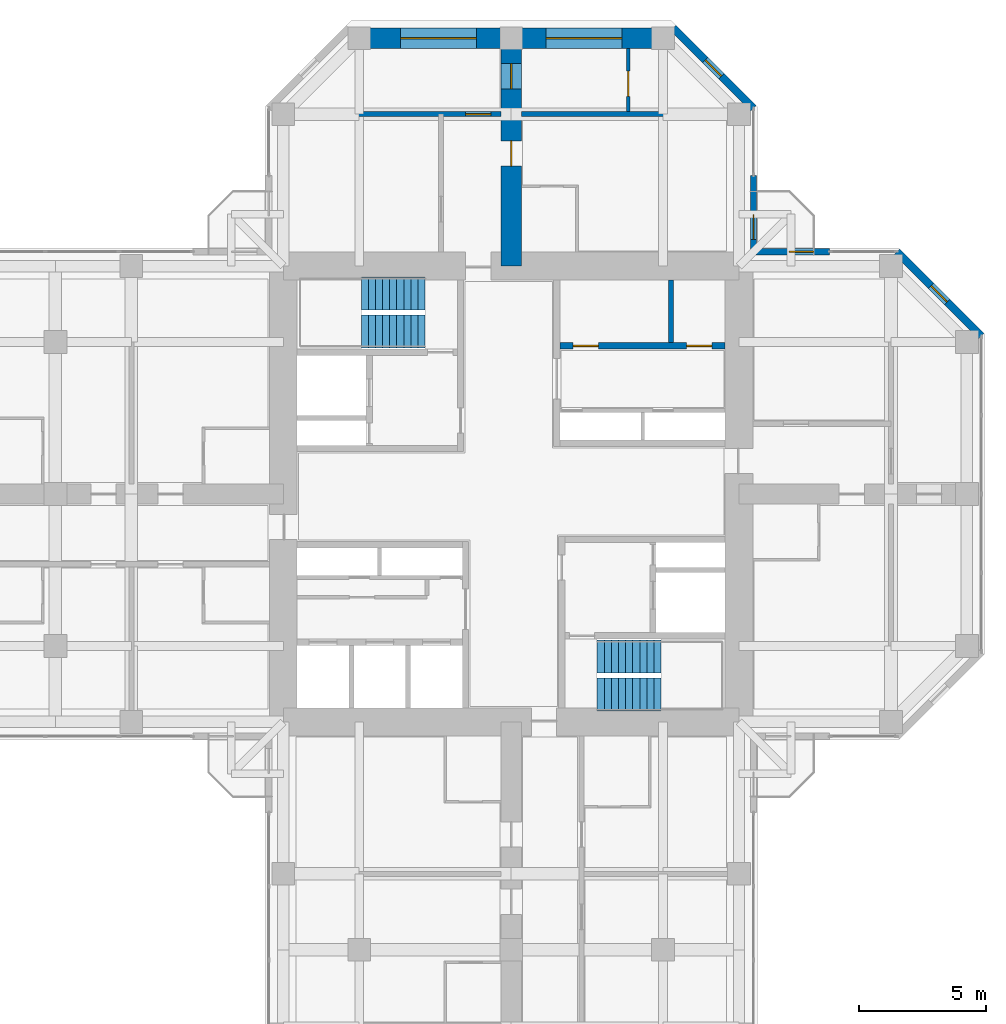
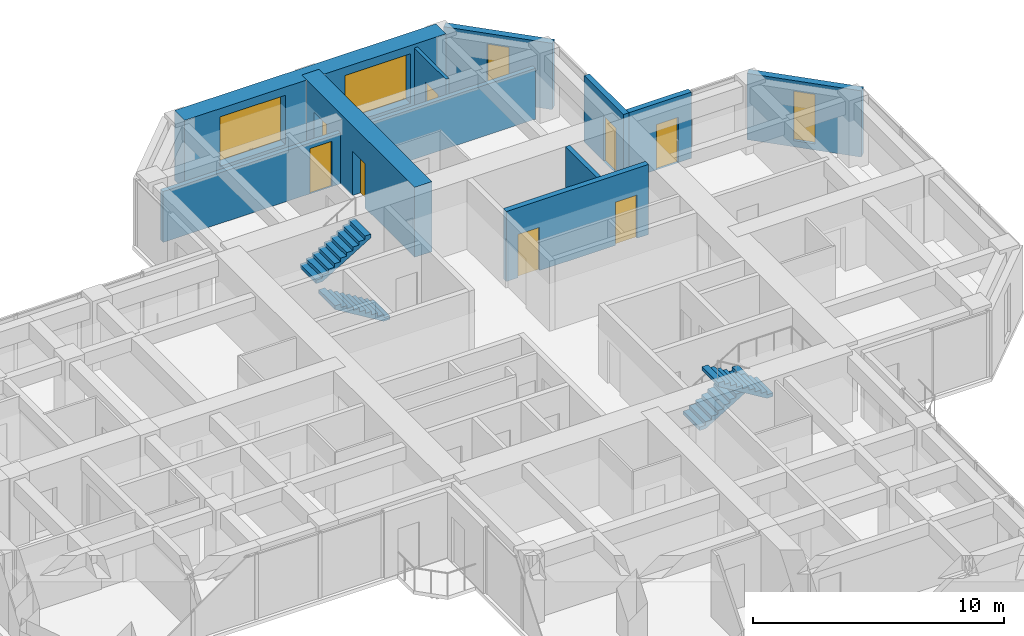
# One storey, part 12 of 13: 11 walls, 8 doors, 4 stair flights, 4 windows, 12 openings, 2 elements without a shape of their own.
"""IFC4 building model written with IfcOpenShell, lengths in metres."""

from ifc_helpers import new_model, si_unit, direction, frame, frame_2d, origin, place, context, subcontext, project, spatial, polyline, rectangle, hollow_rectangle, outline, extrude, material, layer, layer_set, constituent, constituent_set, type_object, element, fill, aggregate, save


model = new_model("IFC4")

# Units and contexts
model_context = context("Model", 3, precision=1e-05, world=origin(), true_north=direction((0.0, 1.0)))
body_context = subcontext(model_context, "Body", "Model", "MODEL_VIEW")
ifc_project = project(units=[si_unit("LENGTHUNIT", "METRE"), si_unit("AREAUNIT", "SQUARE_METRE"), si_unit("VOLUMEUNIT", "CUBIC_METRE"), si_unit("PLANEANGLEUNIT", "RADIAN"), si_unit("MASSUNIT", "GRAM", prefix="KILO")], contexts=[model_context])

# Site, building, storey
site_placement = place(None, origin())
site = spatial("IfcSite", under=ifc_project, at=site_placement, CompositionType="ELEMENT")
building_placement = place(site_placement, origin())
building = spatial("IfcBuilding", under=site, at=building_placement, Name="Torre Cruceta", CompositionType="ELEMENT")
storey_placement = place(building_placement, frame((0.0, 0.0, 193.300048828125)))
storey = spatial("IfcBuildingStorey", under=building, at=storey_placement, Name="L48", CompositionType="ELEMENT", Elevation=193.300048828125)

# Wall, openings, doors
ifc_material_1 = material(Name="Concrete G60 (fck 60 MPa)", Category="concrete")
ifc_layer_1 = layer(ifc_material_1, 0.25)
ifc_layer_set_1 = layer_set([ifc_layer_1], Name="Concrete G60 (fck 60 MPa)")
wall_type_1 = type_object("IfcWallType", Name="CORE INNER WALL 250 G60", PredefinedType="SHEAR", material=ifc_layer_set_1)
wall_1_placement = place(storey_placement, frame((1.925048828125, 5.85009765625, 0.0), z_axis=(0.0, 0.0, 1.0), x_axis=(1.0, 0.0, 0.0)))
wall_1 = element("IfcWall", 1, at=wall_1_placement, inside=storey, type_object=wall_type_1, Name="CW4 L48 NE-LV", PredefinedType="SHEAR", context=body_context, shape_type="SweptSolid", body=[
    extrude(rectangle(XDim=6.52490234375, YDim=0.25, at=frame_2d((3.262451171875, 0.0))), origin(), (0.0, 0.0, 1.0), 3.39990234375),
])
opening_1_placement = place(wall_1_placement, frame((0.520751953125, 0.0, 0.0)))
opening_1 = element("IfcOpeningElement", 2, at=opening_1_placement, cuts=wall_1, Name="Opening D3", PredefinedType="OPENING", context=body_context, shape_type="SweptSolid", body=[
    extrude(rectangle(XDim=1.0, YDim=2.10009765625, at=frame_2d((0.5, 1.050048828125))), frame((0.0, 0.135009765625, 0.0), z_axis=(0.0, -1.0, 0.0), x_axis=(1.0, 0.0, 0.0)), (0.0, 0.0, 1.0), 0.27001953125),
])
opening_2_placement = place(wall_1_placement, frame((5.004150390625, 0.0, 0.0)))
opening_2 = element("IfcOpeningElement", 3, at=opening_2_placement, cuts=wall_1, Name="Opening D3", PredefinedType="OPENING", context=body_context, shape_type="SweptSolid", body=[
    extrude(rectangle(XDim=1.0, YDim=2.10009765625, at=frame_2d((0.5, 1.050048828125))), frame((0.0, 0.135009765625, 0.0), z_axis=(0.0, -1.0, 0.0), x_axis=(1.0, 0.0, 0.0)), (0.0, 0.0, 1.0), 0.27001953125),
])
ifc_material_2 = material(Name="Steel DX51D", Category="steel")
ifc_constituent_1 = constituent(ifc_material_2, Name="Leaf and frame")
ifc_material_3 = material(Name="Polyester powder coating", Category="paint")
ifc_constituent_2 = constituent(ifc_material_3, Name="Finish")
ifc_constituent_set_1 = constituent_set(constituents=[ifc_constituent_1, ifc_constituent_2], Name="Steel fire door")
door_type_1 = type_object("IfcDoorType", Name="FIRE DOOR 1000X2100", OperationType="SINGLE_SWING_LEFT", PredefinedType="DOOR", material=ifc_constituent_set_1)
door_1_placement = place(opening_1_placement, origin())
door_1 = element("IfcDoor", 4, at=door_1_placement, inside=storey, type_object=door_type_1, Name="D3 L48 NE-HR1", OperationType="SINGLE_SWING_LEFT", OverallHeight=2.10009765625, OverallWidth=1.0, PredefinedType="DOOR", context=body_context, shape_type="SweptSolid", body=[
    extrude(rectangle(XDim=1.0, YDim=2.10009765625, at=frame_2d((0.5, 1.050048828125))), frame((0.0, 0.02490234375, 0.0), z_axis=(0.0, -1.0, 0.0), x_axis=(1.0, 0.0, 0.0)), (0.0, 0.0, 1.0), 0.050048828125),
])
fill(opening_1, door_1)
door_2_placement = place(opening_2_placement, origin())
door_2 = element("IfcDoor", 5, at=door_2_placement, inside=storey, type_object=door_type_1, Name="D3 L48 NE-HR2", OperationType="SINGLE_SWING_RIGHT", OverallHeight=2.10009765625, OverallWidth=1.0, PredefinedType="DOOR", context=body_context, shape_type="SweptSolid", body=[
    extrude(rectangle(XDim=1.0, YDim=2.10009765625, at=frame_2d((0.5, 1.050048828125))), frame((0.0, 0.02490234375, 0.0), z_axis=(0.0, -1.0, 0.0), x_axis=(1.0, 0.0, 0.0)), (0.0, 0.0, 1.0), 0.050048828125),
])
fill(opening_2, door_2)

# Wall, opening, window
ifc_material_4 = material(Name="Concrete G30 (fck 30 MPa)", Category="concrete")
ifc_layer_2 = layer(ifc_material_4, 0.300048828125)
ifc_layer_set_2 = layer_set([ifc_layer_2], Name="Concrete G30 (fck 30 MPa)")
wall_type_2 = type_object("IfcWallType", Name="EXPOSED CONCRETE FACADE WALL 300", PredefinedType="SOLIDWALL", material=ifc_layer_set_2)
wall_2_placement = place(storey_placement, frame((18.570068359375, 6.236083984375, 0.0), z_axis=(0.0, 0.0, 1.0), x_axis=(-0.707106781187, 0.707106781187, 0.0)))
wall_2 = element("IfcWall", 6, at=wall_2_placement, inside=storey, type_object=wall_type_2, Name="EW1 facade wall L48 E chamfer 03", PredefinedType="SOLIDWALL", context=body_context, shape_type="SweptSolid", body=[
    extrude(rectangle(XDim=4.715087890625, YDim=0.300048828125, at=frame_2d((2.357421875, 0.0))), origin(), (0.0, 0.0, 1.0), 3.219970703125),
])
opening_3_placement = place(wall_2_placement, frame((1.907470703125, 0.0, 0.300048828125)))
opening_3 = element("IfcOpeningElement", 7, at=opening_3_placement, cuts=wall_2, Name="Opening WN5", PredefinedType="OPENING", context=body_context, shape_type="SweptSolid", body=[
    extrude(rectangle(XDim=0.89990234375, YDim=2.39990234375, at=frame_2d((0.449951171875, 1.199951171875))), frame((0.0, 0.159912109375, 0.0), z_axis=(0.0, -1.0, 0.0), x_axis=(1.0, 0.0, 0.0)), (0.0, 0.0, 1.0), 0.320068359375),
])
ifc_material_5 = material(Name="Aluminium window frame", Category="aluminium")
ifc_constituent_3 = constituent(ifc_material_5, Name="Frame")
ifc_material_6 = material(Name="Laminated insulating glass unit, low-iron clear", Category="glass")
ifc_constituent_4 = constituent(ifc_material_6, Name="Glazing")
ifc_constituent_set_2 = constituent_set(constituents=[ifc_constituent_3, ifc_constituent_4], Name="Aluminium window")
window_type_1 = type_object("IfcWindowType", Name="CHAMFER SLOT WINDOW 900X2400", PartitioningType="SINGLE_PANEL", PredefinedType="WINDOW", material=ifc_constituent_set_2)
window_1_placement = place(opening_3_placement, origin())
window_1 = element("IfcWindow", 8, at=window_1_placement, inside=storey, type_object=window_type_1, Name="WN5 L48 E 1", OverallHeight=2.39990234375, OverallWidth=0.89990234375, PartitioningType="SINGLE_PANEL", PredefinedType="WINDOW", context=body_context, shape_type="SweptSolid", body=[
    extrude(hollow_rectangle(XDim=0.89990234375, YDim=2.39990234375, WallThickness=0.06005859375, at=frame_2d((0.449951171875, 1.199951171875))), frame((0.0, 0.030029296875, 0.0), z_axis=(0.0, -1.0, 0.0), x_axis=(1.0, 0.0, 0.0)), (0.0, 0.0, 1.0), 0.06005859375),
    extrude(rectangle(XDim=0.77880859375, YDim=2.27880859375, at=frame_2d((0.449951171875, 1.199951171875))), frame((0.0, 0.030029296875, 0.0), z_axis=(0.0, -1.0, 0.0), x_axis=(1.0, 0.0, 0.0)), (0.0, 0.0, 1.0), 0.06005859375),
])
fill(opening_3, window_1)

wall_3_placement = place(storey_placement, frame((9.570068359375, 15.236083984375, 0.0), z_axis=(0.0, 0.0, 1.0), x_axis=(-0.707134062067, 0.707079499254, 0.0)))
wall_3 = element("IfcWall", 9, at=wall_3_placement, inside=storey, type_object=wall_type_2, Name="EW1 facade wall L48 N chamfer 06", PredefinedType="SOLIDWALL", context=body_context, shape_type="SweptSolid", body=[
    extrude(rectangle(XDim=4.474609375, YDim=0.300048828125, at=frame_2d((2.2373046875, 0.0))), origin(), (0.0, 0.0, 1.0), 3.219970703125),
])
opening_4_placement = place(wall_3_placement, frame((1.787109375, 0.0, 0.300048828125)))
opening_4 = element("IfcOpeningElement", 10, at=opening_4_placement, cuts=wall_3, Name="Opening WN5", PredefinedType="OPENING", context=body_context, shape_type="SweptSolid", body=[
    extrude(rectangle(XDim=0.89990234375, YDim=2.39990234375, at=frame_2d((0.449951171875, 1.199951171875))), frame((0.0, 0.159912109375, 0.0), z_axis=(0.0, -1.0, 0.0), x_axis=(1.0, 0.0, 0.0)), (0.0, 0.0, 1.0), 0.320068359375),
])
window_2_placement = place(opening_4_placement, origin())
window_2 = element("IfcWindow", 11, at=window_2_placement, inside=storey, type_object=window_type_1, Name="WN5 L48 N 1", OverallHeight=2.39990234375, OverallWidth=0.89990234375, PartitioningType="SINGLE_PANEL", PredefinedType="WINDOW", context=body_context, shape_type="SweptSolid", body=[
    extrude(hollow_rectangle(XDim=0.89990234375, YDim=2.39990234375, WallThickness=0.06005859375, at=frame_2d((0.449951171875, 1.199951171875))), frame((0.0, 0.030029296875, 0.0), z_axis=(0.0, -1.0, 0.0), x_axis=(1.0, 0.0, 0.0)), (0.0, 0.0, 1.0), 0.06005859375),
    extrude(rectangle(XDim=0.77880859375, YDim=2.27880859375, at=frame_2d((0.449951171875, 1.199951171875))), frame((0.0, 0.030029296875, 0.0), z_axis=(0.0, -1.0, 0.0), x_axis=(1.0, 0.0, 0.0)), (0.0, 0.0, 1.0), 0.06005859375),
])
fill(opening_4, window_2)

# Wall
ifc_material_7 = material(Name="Concrete G35 (fck 35 MPa)", Category="concrete")
ifc_layer_3 = layer(ifc_material_7, 0.199951171875)
ifc_layer_set_3 = layer_set([ifc_layer_3], Name="Concrete G35 (fck 35 MPa)")
wall_type_3 = type_object("IfcWallType", Name="LIFT SHAFT WALL 200", PredefinedType="PARTITIONING", material=ifc_layer_set_3)
wall_4_placement = place(storey_placement, frame((6.308349609375, 5.97509765625, 0.0), z_axis=(0.0, 0.0, 1.0), x_axis=(0.0, 1.0, 0.0)))
element("IfcWall", 12, at=wall_4_placement, inside=storey, type_object=wall_type_3, Name="SW1 L48 NE-LS2", PredefinedType="PARTITIONING", context=body_context, shape_type="SweptSolid", body=[
    extrude(rectangle(XDim=2.474853515625, YDim=0.199951171875, at=frame_2d((1.2373046875, 0.0))), origin(), (0.0, 0.0, 1.0), 3.39990234375),
])

# Wall, openings, windows
ifc_material_8 = material(Name="Concrete G60 (fck 60 MPa)", Category="concrete")
ifc_layer_4 = layer(ifc_material_8, 0.800048828125)
ifc_layer_set_4 = layer_set([ifc_layer_4], Name="Concrete G60 (fck 60 MPa)")
wall_type_4 = type_object("IfcWallType", Name="NOSE WALL 800 G60", PredefinedType="SHEAR", material=ifc_layer_set_4)
wall_5_placement = place(storey_placement, frame((6.0, 18.0, 0.0), z_axis=(0.0, 0.0, 1.0), x_axis=(-1.0, 0.0, 0.0)))
wall_5 = element("IfcWall", 13, at=wall_5_placement, inside=storey, type_object=wall_type_4, Name="NW2 nose wall L48 N", PredefinedType="SHEAR", context=body_context, shape_type="SweptSolid", body=[
    extrude(rectangle(XDim=12.0, YDim=0.800048828125, at=frame_2d((6.0, 0.0))), origin(), (0.0, 0.0, 1.0), 3.39990234375),
])
opening_5_placement = place(wall_5_placement, frame((1.625, 0.0, 0.60009765625)))
opening_5 = element("IfcOpeningElement", 14, at=opening_5_placement, cuts=wall_5, Name="Opening WN6", PredefinedType="OPENING", context=body_context, shape_type="SweptSolid", body=[
    extrude(rectangle(XDim=3.0, YDim=2.39990234375, at=frame_2d((1.5, 1.199951171875))), frame((0.0, 0.409912109375, 0.0), z_axis=(0.0, -1.0, 0.0), x_axis=(1.0, 0.0, 0.0)), (0.0, 0.0, 1.0), 0.820068359375),
])
opening_6_placement = place(wall_5_placement, frame((7.375, 0.0, 0.60009765625)))
opening_6 = element("IfcOpeningElement", 15, at=opening_6_placement, cuts=wall_5, Name="Opening WN6", PredefinedType="OPENING", context=body_context, shape_type="SweptSolid", body=[
    extrude(rectangle(XDim=3.0, YDim=2.39990234375, at=frame_2d((1.5, 1.199951171875))), frame((0.0, 0.409912109375, 0.0), z_axis=(0.0, -1.0, 0.0), x_axis=(1.0, 0.0, 0.0)), (0.0, 0.0, 1.0), 0.820068359375),
])
ifc_material_9 = material(Name="Aluminium window frame", Category="aluminium")
ifc_constituent_5 = constituent(ifc_material_9, Name="Frame")
ifc_material_10 = material(Name="Laminated insulating glass unit, low-iron clear", Category="glass")
ifc_constituent_6 = constituent(ifc_material_10, Name="Glazing")
ifc_constituent_set_3 = constituent_set(constituents=[ifc_constituent_5, ifc_constituent_6], Name="Aluminium window")
window_type_2 = type_object("IfcWindowType", Name="NOSE WALL WINDOW 3000X2400", PartitioningType="SINGLE_PANEL", PredefinedType="WINDOW", material=ifc_constituent_set_3)
window_3_placement = place(opening_5_placement, origin())
window_3 = element("IfcWindow", 16, at=window_3_placement, inside=storey, type_object=window_type_2, Name="WN6 L48 N 1", OverallHeight=2.39990234375, OverallWidth=3.0, PartitioningType="SINGLE_PANEL", PredefinedType="WINDOW", context=body_context, shape_type="SweptSolid", body=[
    extrude(hollow_rectangle(XDim=3.0, YDim=2.39990234375, WallThickness=0.06005859375, at=frame_2d((1.5, 1.199951171875))), frame((0.0, 0.030029296875, 0.0), z_axis=(0.0, -1.0, 0.0), x_axis=(1.0, 0.0, 0.0)), (0.0, 0.0, 1.0), 0.06005859375),
    extrude(rectangle(XDim=2.87890625, YDim=2.27880859375, at=frame_2d((1.5, 1.199951171875))), frame((0.0, 0.030029296875, 0.0), z_axis=(0.0, -1.0, 0.0), x_axis=(1.0, 0.0, 0.0)), (0.0, 0.0, 1.0), 0.06005859375),
])
fill(opening_5, window_3)
window_4_placement = place(opening_6_placement, origin())
window_4 = element("IfcWindow", 17, at=window_4_placement, inside=storey, type_object=window_type_2, Name="WN6 L48 N 2", OverallHeight=2.39990234375, OverallWidth=3.0, PartitioningType="SINGLE_PANEL", PredefinedType="WINDOW", context=body_context, shape_type="SweptSolid", body=[
    extrude(hollow_rectangle(XDim=3.0, YDim=2.39990234375, WallThickness=0.06005859375, at=frame_2d((1.5, 1.199951171875))), frame((0.0, 0.030029296875, 0.0), z_axis=(0.0, -1.0, 0.0), x_axis=(1.0, 0.0, 0.0)), (0.0, 0.0, 1.0), 0.06005859375),
    extrude(rectangle(XDim=2.87890625, YDim=2.27880859375, at=frame_2d((1.5, 1.199951171875))), frame((0.0, 0.030029296875, 0.0), z_axis=(0.0, -1.0, 0.0), x_axis=(1.0, 0.0, 0.0)), (0.0, 0.0, 1.0), 0.06005859375),
])
fill(opening_6, window_4)

# Wall, opening, door
ifc_material_11 = material(Name="Plasterboard on steel studs", Category="steel")
ifc_layer_5 = layer(ifc_material_11, 0.14990234375)
ifc_layer_set_5 = layer_set([ifc_layer_5], Name="Plasterboard on steel studs")
wall_type_5 = type_object("IfcWallType", Name="PARTITION 150", PredefinedType="PARTITIONING", material=ifc_layer_set_5)
wall_6_placement = place(storey_placement, frame((4.625, 15.10009765625, 0.0), z_axis=(0.0, 0.0, 1.0), x_axis=(0.0, 1.0, 0.0)))
wall_6 = element("IfcWall", 18, at=wall_6_placement, inside=storey, type_object=wall_type_5, Name="PT1 L48-N-END2X", PredefinedType="PARTITIONING", context=body_context, shape_type="SweptSolid", body=[
    extrude(rectangle(XDim=2.5, YDim=0.14990234375, at=frame_2d((1.25, 0.0))), origin(), (0.0, 0.0, 1.0), 3.219970703125),
])
opening_7_placement = place(wall_6_placement, frame((0.60009765625, 0.0, 0.0)))
opening_7 = element("IfcOpeningElement", 19, at=opening_7_placement, cuts=wall_6, Name="Opening D3", PredefinedType="OPENING", context=body_context, shape_type="SweptSolid", body=[
    extrude(rectangle(XDim=1.0, YDim=2.10009765625, at=frame_2d((0.5, 1.050048828125))), frame((0.0, 0.0849609375, 0.0), z_axis=(0.0, -1.0, 0.0), x_axis=(1.0, 0.0, 0.0)), (0.0, 0.0, 1.0), 0.169921875),
])
door_3_placement = place(opening_7_placement, frame((1.0, 0.0, 0.0), z_axis=(0.0, 0.0, 1.0), x_axis=(-1.0, 0.0, 0.0)))
door_3 = element("IfcDoor", 20, at=door_3_placement, inside=storey, type_object=door_type_1, Name="D3 L48-N-END2X-D1", OperationType="SINGLE_SWING_RIGHT", OverallHeight=2.10009765625, OverallWidth=1.0, PredefinedType="DOOR", context=body_context, shape_type="SweptSolid", body=[
    extrude(rectangle(XDim=1.0, YDim=2.10009765625, at=frame_2d((0.5, 1.050048828125))), frame((0.0, 0.025146484375, 0.0), z_axis=(0.0, -1.0, 0.0), x_axis=(1.0, 0.0, 0.0)), (0.0, 0.0, 1.0), 0.050048828125),
])
fill(opening_7, door_3)

# Wall, openings, doors
ifc_material_12 = material(Name="Concrete G60 (fck 60 MPa)", Category="concrete")
ifc_layer_6 = layer(ifc_material_12, 0.800048828125)
ifc_layer_set_6 = layer_set([ifc_layer_6], Name="Concrete G60 (fck 60 MPa)")
wall_type_6 = type_object("IfcWallType", Name="SPINE WALL 800 G60", PredefinedType="SHEAR", material=ifc_layer_set_6)
wall_7_placement = place(storey_placement, frame((0.0, 9.0, 0.0), z_axis=(0.0, 0.0, 1.0), x_axis=(0.0, 1.0, 0.0)))
wall_7 = element("IfcWall", 21, at=wall_7_placement, inside=storey, type_object=wall_type_6, Name="SW4 spine wall L48 N", PredefinedType="SHEAR", context=body_context, shape_type="SweptSolid", body=[
    extrude(rectangle(XDim=9.0, YDim=0.800048828125, at=frame_2d((4.5, 0.0))), origin(), (0.0, 0.0, 1.0), 3.39990234375),
])
opening_8_placement = place(wall_7_placement, frame((3.949951171875, 0.0, 0.0)))
opening_8 = element("IfcOpeningElement", 22, at=opening_8_placement, cuts=wall_7, Name="Opening D6", PredefinedType="OPENING", context=body_context, shape_type="SweptSolid", body=[
    extrude(rectangle(XDim=1.0, YDim=2.14990234375, at=frame_2d((0.5, 1.074951171875))), frame((0.0, 0.409912109375, 0.0), z_axis=(0.0, -1.0, 0.0), x_axis=(1.0, 0.0, 0.0)), (0.0, 0.0, 1.0), 0.820068359375),
])
opening_9_placement = place(wall_7_placement, frame((7.0, 0.0, 0.0)))
opening_9 = element("IfcOpeningElement", 23, at=opening_9_placement, cuts=wall_7, Name="Opening D14", PredefinedType="OPENING", context=body_context, shape_type="SweptSolid", body=[
    extrude(rectangle(XDim=1.0, YDim=2.199951171875, at=frame_2d((0.5, 1.10009765625))), frame((0.0, 0.409912109375, 0.0), z_axis=(0.0, -1.0, 0.0), x_axis=(1.0, 0.0, 0.0)), (0.0, 0.0, 1.0), 0.820068359375),
])
ifc_material_13 = material(Name="Steel DX51D", Category="steel")
ifc_constituent_7 = constituent(ifc_material_13, Name="Leaf and frame")
ifc_material_14 = material(Name="Polyester powder coating", Category="paint")
ifc_constituent_8 = constituent(ifc_material_14, Name="Finish")
ifc_material_15 = material(Name="Fire-resisting glass", Category="glass")
ifc_constituent_9 = constituent(ifc_material_15, Name="Vision panel")
ifc_constituent_set_4 = constituent_set(constituents=[ifc_constituent_7, ifc_constituent_8, ifc_constituent_9], Name="Steel fire door with vision panel")
door_type_2 = type_object("IfcDoorType", Name="FIRE DOOR VISION PANEL 1000X2200", OperationType="SINGLE_SWING_RIGHT", PredefinedType="DOOR", material=ifc_constituent_set_4)
door_4_placement = place(opening_9_placement, frame((1.0, 0.0, 0.0), z_axis=(0.0, 0.0, 1.0), x_axis=(-1.0, 0.0, 0.0)))
door_4 = element("IfcDoor", 24, at=door_4_placement, inside=storey, type_object=door_type_2, Name="D14 L48-N-SP2", OperationType="SINGLE_SWING_LEFT", OverallHeight=2.199951171875, OverallWidth=1.0, PredefinedType="DOOR", context=body_context, shape_type="SweptSolid", body=[
    extrude(rectangle(XDim=1.0, YDim=2.199951171875, at=frame_2d((0.5, 1.10009765625))), frame((0.0, 0.025146484375, 0.0), z_axis=(0.0, -1.0, 0.0), x_axis=(1.0, 0.0, 0.0)), (0.0, 0.0, 1.0), 0.050048828125),
])
fill(opening_9, door_4)
ifc_material_16 = material(Name="Timber fire door", Category="wood")
door_type_3 = type_object("IfcDoorType", Name="UNIT ENTRANCE DOOR 1000X2150", OperationType="SINGLE_SWING_LEFT", PredefinedType="DOOR", material=ifc_material_16)
door_5_placement = place(opening_8_placement, frame((1.0, 0.0, 0.0), z_axis=(0.0, 0.0, 1.0), x_axis=(-1.0, 0.0, 0.0)))
door_5 = element("IfcDoor", 25, at=door_5_placement, inside=storey, type_object=door_type_3, Name="D6 L48-N-SP1", OperationType="SINGLE_SWING_RIGHT", OverallHeight=2.14990234375, OverallWidth=1.0, PredefinedType="DOOR", context=body_context, shape_type="SweptSolid", body=[
    extrude(rectangle(XDim=1.0, YDim=2.14990234375, at=frame_2d((0.5, 1.074951171875))), frame((0.0, 0.025146484375, 0.0), z_axis=(0.0, -1.0, 0.0), x_axis=(1.0, 0.0, 0.0)), (0.0, 0.0, 1.0), 0.050048828125),
])
fill(opening_8, door_5)

# Wall
ifc_material_17 = material(Name="Concrete G25 (fck 25 MPa)", Category="concrete")
ifc_layer_7 = layer(ifc_material_17, 0.199951171875)
ifc_layer_set_7 = layer_set([ifc_layer_7], Name="Concrete G25 (fck 25 MPa)")
wall_type_7 = type_object("IfcWallType", Name="UNIT SEPARATING WALL 200", PredefinedType="SOLIDWALL", material=ifc_layer_set_7)
wall_8_placement = place(storey_placement, frame((8.550048828125, 15.0, 0.0), z_axis=(0.0, 0.0, 1.0), x_axis=(-1.0, 0.0, 0.0)))
element("IfcWall", 26, at=wall_8_placement, inside=storey, type_object=wall_type_7, Name="PT2 L48-N-ENDa", PredefinedType="SOLIDWALL", context=body_context, shape_type="SweptSolid", body=[
    extrude(rectangle(XDim=8.150146484375, YDim=0.199951171875, at=frame_2d((4.0751953125, 0.0))), origin(), (0.0, 0.0, 1.0), 2.469970703125),
])

# Wall, opening, door
wall_9_placement = place(storey_placement, frame((-0.39990234375, 15.0, 0.0), z_axis=(0.0, 0.0, 1.0), x_axis=(-1.0, 0.0, 0.0)))
wall_9 = element("IfcWall", 27, at=wall_9_placement, inside=storey, type_object=wall_type_7, Name="PT2 L48-N-ENDb", PredefinedType="SOLIDWALL", context=body_context, shape_type="SweptSolid", body=[
    extrude(rectangle(XDim=8.150146484375, YDim=0.199951171875, at=frame_2d((4.0751953125, 0.0))), origin(), (0.0, 0.0, 1.0), 2.469970703125),
])
opening_10_placement = place(wall_9_placement, frame((0.39990234375, 0.0, 0.0)))
opening_10 = element("IfcOpeningElement", 28, at=opening_10_placement, cuts=wall_9, Name="Opening D14", PredefinedType="OPENING", context=body_context, shape_type="SweptSolid", body=[
    extrude(rectangle(XDim=1.0, YDim=2.199951171875, at=frame_2d((0.5, 1.10009765625))), frame((0.0, 0.10986328125, 0.0), z_axis=(0.0, -1.0, 0.0), x_axis=(1.0, 0.0, 0.0)), (0.0, 0.0, 1.0), 0.219970703125),
])
door_6_placement = place(opening_10_placement, frame((1.0, 0.0, 0.0), z_axis=(0.0, 0.0, 1.0), x_axis=(-1.0, 0.0, 0.0)))
door_6 = element("IfcDoor", 29, at=door_6_placement, inside=storey, type_object=door_type_2, Name="D14 L48-N-ENDb-D1", OperationType="SINGLE_SWING_RIGHT", OverallHeight=2.199951171875, OverallWidth=1.0, PredefinedType="DOOR", context=body_context, shape_type="SweptSolid", body=[
    extrude(rectangle(XDim=1.0, YDim=2.199951171875, at=frame_2d((0.5, 1.10009765625))), frame((0.0, 0.025146484375, 0.0), z_axis=(0.0, -1.0, 0.0), x_axis=(1.0, 0.0, 0.0)), (0.0, 0.0, 1.0), 0.050048828125),
])
fill(opening_10, door_6)

ifc_material_18 = material(Name="Concrete G30 (fck 30 MPa)", Category="concrete")
ifc_layer_8 = layer(ifc_material_18, 0.25)
ifc_layer_set_8 = layer_set([ifc_layer_8], Name="Concrete G30 (fck 30 MPa)")
wall_type_8 = type_object("IfcWallType", Name="WINTER GARDEN WALL 250", PredefinedType="SOLIDWALL", material=ifc_layer_set_8)
wall_10_placement = place(storey_placement, frame((12.570068359375, 9.570068359375, 0.0), z_axis=(0.0, 0.0, 1.0), x_axis=(-1.0, 0.0, 0.0)))
wall_10 = element("IfcWall", 30, at=wall_10_placement, inside=storey, type_object=wall_type_8, Name="EW2 winter garden wall L48 04", PredefinedType="SOLIDWALL", context=body_context, shape_type="SweptSolid", body=[
    extrude(rectangle(XDim=2.875, YDim=0.25, at=frame_2d((1.4375, 0.0))), origin(), (0.0, 0.0, 1.0), 3.219970703125),
])
opening_11_placement = place(wall_10_placement, frame((0.60009765625, 0.0, 0.0)))
opening_11 = element("IfcOpeningElement", 31, at=opening_11_placement, cuts=wall_10, Name="Opening D10", PredefinedType="OPENING", context=body_context, shape_type="SweptSolid", body=[
    extrude(rectangle(XDim=1.0, YDim=2.199951171875, at=frame_2d((0.5, 1.10009765625))), frame((0.0, 0.135009765625, 0.0), z_axis=(0.0, -1.0, 0.0), x_axis=(1.0, 0.0, 0.0)), (0.0, 0.0, 1.0), 0.27001953125),
])
ifc_material_19 = material(Name="Aluminium door frame", Category="aluminium")
ifc_constituent_10 = constituent(ifc_material_19, Name="Frame")
ifc_material_20 = material(Name="Laminated safety glass", Category="glass")
ifc_constituent_11 = constituent(ifc_material_20, Name="Glazing")
ifc_constituent_set_5 = constituent_set(constituents=[ifc_constituent_10, ifc_constituent_11], Name="Aluminium glazed door")
door_type_4 = type_object("IfcDoorType", Name="BALCONY DOOR 1000X2200", OperationType="SINGLE_SWING_RIGHT", PredefinedType="DOOR", material=ifc_constituent_set_5)
door_7_placement = place(opening_11_placement, origin())
door_7 = element("IfcDoor", 32, at=door_7_placement, inside=storey, type_object=door_type_4, Name="D10 balcony door L48 04", OperationType="SINGLE_SWING_RIGHT", OverallHeight=2.199951171875, OverallWidth=1.0, PredefinedType="DOOR", context=body_context, shape_type="SweptSolid", body=[
    extrude(hollow_rectangle(XDim=1.0, YDim=2.199951171875, WallThickness=0.06005859375, at=frame_2d((0.5, 1.10009765625))), frame((0.0, 0.02490234375, 0.0), z_axis=(0.0, -1.0, 0.0), x_axis=(1.0, 0.0, 0.0)), (0.0, 0.0, 1.0), 0.050048828125),
    extrude(rectangle(XDim=0.87890625, YDim=2.078857421875, at=frame_2d((0.5, 1.10009765625))), frame((0.0, 0.02490234375, 0.0), z_axis=(0.0, -1.0, 0.0), x_axis=(1.0, 0.0, 0.0)), (0.0, 0.0, 1.0), 0.050048828125),
])
fill(opening_11, door_7)

wall_11_placement = place(storey_placement, frame((9.570068359375, 9.445068359375, 0.0), z_axis=(0.0, 0.0, 1.0), x_axis=(0.0, 1.0, 0.0)))
wall_11 = element("IfcWall", 33, at=wall_11_placement, inside=storey, type_object=wall_type_8, Name="EW2 winter garden wall L48 05", PredefinedType="SOLIDWALL", context=body_context, shape_type="SweptSolid", body=[
    extrude(rectangle(XDim=3.125, YDim=0.25, at=frame_2d((1.5625, 0.0))), origin(), (0.0, 0.0, 1.0), 3.219970703125),
])
opening_12_placement = place(wall_11_placement, frame((0.60009765625, 0.0, 0.0)))
opening_12 = element("IfcOpeningElement", 34, at=opening_12_placement, cuts=wall_11, Name="Opening D10", PredefinedType="OPENING", context=body_context, shape_type="SweptSolid", body=[
    extrude(rectangle(XDim=1.0, YDim=2.199951171875, at=frame_2d((0.5, 1.10009765625))), frame((0.0, 0.135009765625, 0.0), z_axis=(0.0, -1.0, 0.0), x_axis=(1.0, 0.0, 0.0)), (0.0, 0.0, 1.0), 0.27001953125),
])
door_8_placement = place(opening_12_placement, origin())
door_8 = element("IfcDoor", 35, at=door_8_placement, inside=storey, type_object=door_type_4, Name="D10 balcony door L48 05", OperationType="SINGLE_SWING_LEFT", OverallHeight=2.199951171875, OverallWidth=1.0, PredefinedType="DOOR", context=body_context, shape_type="SweptSolid", body=[
    extrude(hollow_rectangle(XDim=1.0, YDim=2.199951171875, WallThickness=0.06005859375, at=frame_2d((0.5, 1.10009765625))), frame((0.0, 0.02490234375, 0.0), z_axis=(0.0, -1.0, 0.0), x_axis=(1.0, 0.0, 0.0)), (0.0, 0.0, 1.0), 0.050048828125),
    extrude(rectangle(XDim=0.87890625, YDim=2.078857421875, at=frame_2d((0.5, 1.10009765625))), frame((0.0, 0.02490234375, 0.0), z_axis=(0.0, -1.0, 0.0), x_axis=(1.0, 0.0, 0.0)), (0.0, 0.0, 1.0), 0.050048828125),
])
fill(opening_12, door_8)

# Stair, stair flights
ifc_material_21 = material(Name="Concrete G30 (fck 30 MPa)", Category="concrete")
stair_type = type_object("IfcStairType", Name="STAIR HALF-TURN 1300", PredefinedType="HALF_TURN_STAIR", material=ifc_material_21)
stair_1_placement = place(storey_placement, origin())
stair_1 = element("IfcStair", 36, at=stair_1_placement, inside=storey, type_object=stair_type, Name="Stair ST1 L48", PredefinedType="HALF_TURN_STAIR")
ifc_material_22 = material(Name="Concrete G30 (fck 30 MPa)", Category="concrete")
stair_flight_type = type_object("IfcStairFlightType", Name="STAIR FLIGHT 1300", PredefinedType="STRAIGHT", material=ifc_material_22)
stair_flight_1_placement = place(storey_placement, frame((-3.39990234375, 6.425048828125, 0.0), z_axis=(0.0, 0.0, 1.0), x_axis=(-1.0, 0.0, 0.0)))
stair_flight_1 = element("IfcStairFlight", 37, at=stair_flight_1_placement, type_object=stair_flight_type, Name="ST1 flight 1", NumberOfRisers=10, NumberOfTreads=9, PredefinedType="STRAIGHT", RiserHeight=0.17, TreadLength=0.28, context=body_context, shape_type="SweptSolid", body=[
    extrude(outline(polyline([(0.0, 0.0), (0.0, 0.169921875), (0.280029296875, 0.169921875), (0.280029296875, 0.340087890625), (0.56005859375, 0.340087890625), (0.56005859375, 0.510009765625), (0.840087890625, 0.510009765625), (0.840087890625, 0.679931640625), (1.1201171875, 0.679931640625), (1.1201171875, 0.85009765625), (1.39990234375, 0.85009765625), (1.39990234375, 1.02001953125), (1.679931640625, 1.02001953125), (1.679931640625, 1.18994140625), (1.9599609375, 1.18994140625), (1.9599609375, 1.360107421875), (2.239990234375, 1.360107421875), (2.239990234375, 1.530029296875), (2.52001953125, 1.530029296875), (2.52001953125, 1.699951171875), (2.52001953125, 1.354736328125), (0.288818359375, 0.0), (0.0, 0.0)])), frame((0.0, 0.64990234375, 0.0), z_axis=(0.0, -1.0, 0.0), x_axis=(1.0, 0.0, 0.0)), (0.0, 0.0, 1.0), 1.300048828125),
])
stair_flight_2_placement = place(storey_placement, frame((-5.919921875, 7.925048828125, 1.699951171875), z_axis=(0.0, 0.0, 1.0), x_axis=(1.0, 0.0, 0.0)))
stair_flight_2 = element("IfcStairFlight", 38, at=stair_flight_2_placement, type_object=stair_flight_type, Name="ST1 flight 2", NumberOfRisers=10, NumberOfTreads=9, PredefinedType="STRAIGHT", RiserHeight=0.17, TreadLength=0.28, context=body_context, shape_type="SweptSolid", body=[
    extrude(outline(polyline([(0.0, 0.0), (0.0, 0.169921875), (0.280029296875, 0.169921875), (0.280029296875, 0.340087890625), (0.56005859375, 0.340087890625), (0.56005859375, 0.510009765625), (0.840087890625, 0.510009765625), (0.840087890625, 0.679931640625), (1.1201171875, 0.679931640625), (1.1201171875, 0.85009765625), (1.39990234375, 0.85009765625), (1.39990234375, 1.02001953125), (1.679931640625, 1.02001953125), (1.679931640625, 1.18994140625), (1.9599609375, 1.18994140625), (1.9599609375, 1.360107421875), (2.239990234375, 1.360107421875), (2.239990234375, 1.530029296875), (2.52001953125, 1.530029296875), (2.52001953125, 1.699951171875), (2.52001953125, 1.354736328125), (0.288818359375, 0.0), (0.0, 0.0)])), frame((0.0, 0.64990234375, 0.0), z_axis=(0.0, -1.0, 0.0), x_axis=(1.0, 0.0, 0.0)), (0.0, 0.0, 1.0), 1.300048828125),
])
aggregate(stair_1, [stair_flight_1, stair_flight_2])

stair_2_placement = place(storey_placement, origin())
stair_2 = element("IfcStair", 39, at=stair_2_placement, inside=storey, type_object=stair_type, Name="Stair ST2 L48", PredefinedType="HALF_TURN_STAIR")
stair_flight_3_placement = place(storey_placement, frame((3.39990234375, -6.425048828125, 0.0), z_axis=(0.0, 0.0, 1.0), x_axis=(1.0, 0.0, 0.0)))
stair_flight_3 = element("IfcStairFlight", 40, at=stair_flight_3_placement, type_object=stair_flight_type, Name="ST2 flight 1", NumberOfRisers=10, NumberOfTreads=9, PredefinedType="STRAIGHT", RiserHeight=0.17, TreadLength=0.28, context=body_context, shape_type="SweptSolid", body=[
    extrude(outline(polyline([(0.0, 0.0), (0.0, 0.169921875), (0.280029296875, 0.169921875), (0.280029296875, 0.340087890625), (0.56005859375, 0.340087890625), (0.56005859375, 0.510009765625), (0.840087890625, 0.510009765625), (0.840087890625, 0.679931640625), (1.1201171875, 0.679931640625), (1.1201171875, 0.85009765625), (1.39990234375, 0.85009765625), (1.39990234375, 1.02001953125), (1.679931640625, 1.02001953125), (1.679931640625, 1.18994140625), (1.9599609375, 1.18994140625), (1.9599609375, 1.360107421875), (2.239990234375, 1.360107421875), (2.239990234375, 1.530029296875), (2.52001953125, 1.530029296875), (2.52001953125, 1.699951171875), (2.52001953125, 1.354736328125), (0.288818359375, 0.0), (0.0, 0.0)])), frame((0.0, 0.64990234375, 0.0), z_axis=(0.0, -1.0, 0.0), x_axis=(1.0, 0.0, 0.0)), (0.0, 0.0, 1.0), 1.300048828125),
])
stair_flight_4_placement = place(storey_placement, frame((5.919921875, -7.925048828125, 1.699951171875), z_axis=(0.0, 0.0, 1.0), x_axis=(-1.0, 0.0, 0.0)))
stair_flight_4 = element("IfcStairFlight", 41, at=stair_flight_4_placement, type_object=stair_flight_type, Name="ST2 flight 2", NumberOfRisers=10, NumberOfTreads=9, PredefinedType="STRAIGHT", RiserHeight=0.17, TreadLength=0.28, context=body_context, shape_type="SweptSolid", body=[
    extrude(outline(polyline([(0.0, 0.0), (0.0, 0.169921875), (0.280029296875, 0.169921875), (0.280029296875, 0.340087890625), (0.56005859375, 0.340087890625), (0.56005859375, 0.510009765625), (0.840087890625, 0.510009765625), (0.840087890625, 0.679931640625), (1.1201171875, 0.679931640625), (1.1201171875, 0.85009765625), (1.39990234375, 0.85009765625), (1.39990234375, 1.02001953125), (1.679931640625, 1.02001953125), (1.679931640625, 1.18994140625), (1.9599609375, 1.18994140625), (1.9599609375, 1.360107421875), (2.239990234375, 1.360107421875), (2.239990234375, 1.530029296875), (2.52001953125, 1.530029296875), (2.52001953125, 1.699951171875), (2.52001953125, 1.354736328125), (0.288818359375, 0.0), (0.0, 0.0)])), frame((0.0, 0.64990234375, 0.0), z_axis=(0.0, -1.0, 0.0), x_axis=(1.0, 0.0, 0.0)), (0.0, 0.0, 1.0), 1.300048828125),
])
aggregate(stair_2, [stair_flight_3, stair_flight_4])

save(model, "model.ifc")
